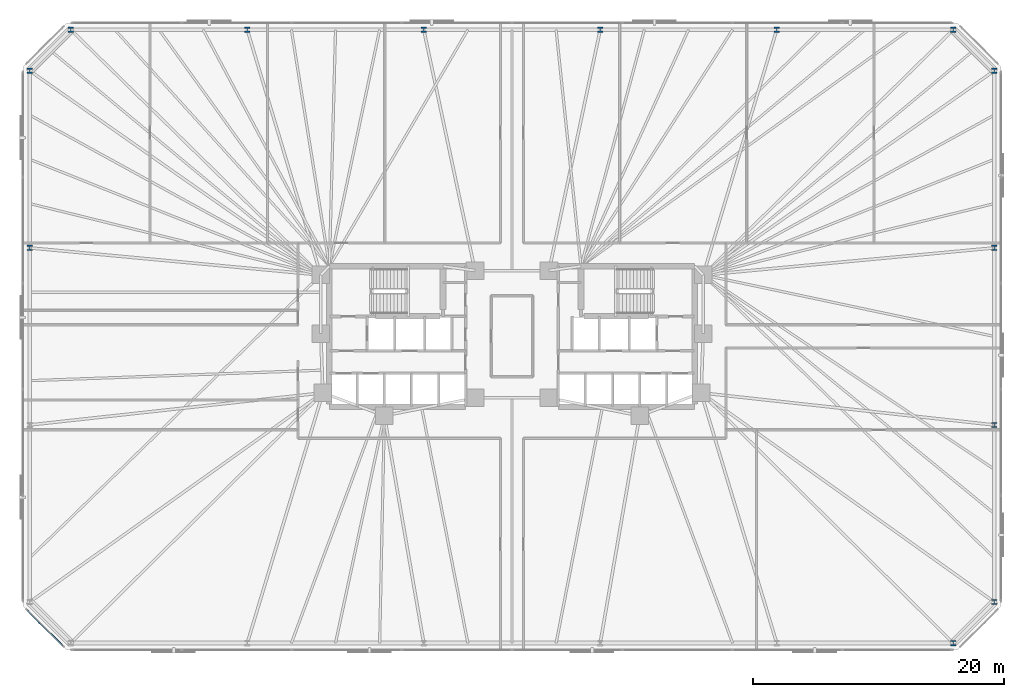
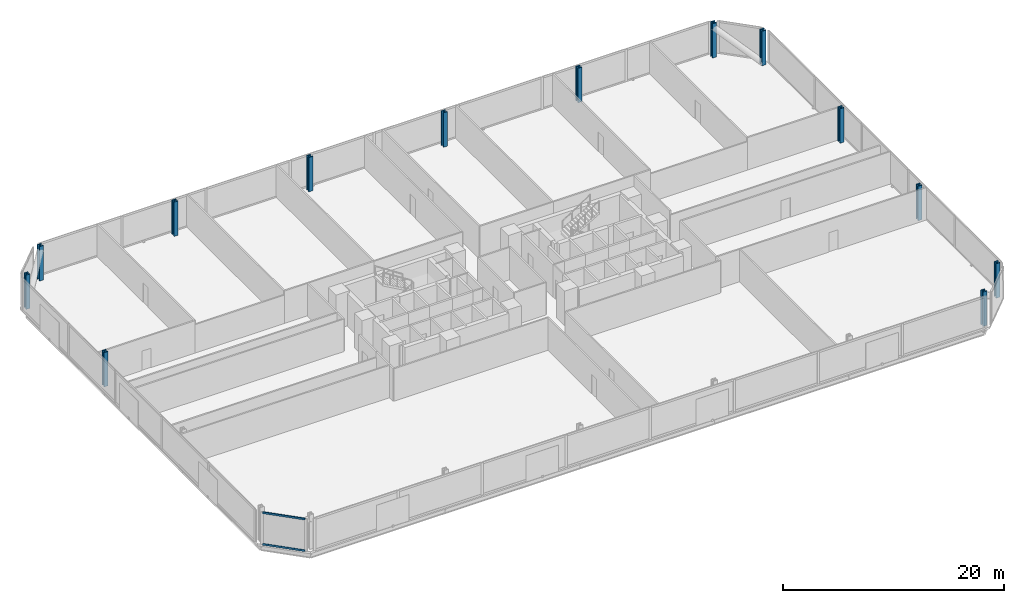
# One storey, part 5 of 16: 13 columns, 2 members, 1 element without a shape of its own.
"""IFC4 building model written with IfcOpenShell, lengths in metres."""

import ifcopenshell
import ifcopenshell.guid

model = None  # the IFC model being written
_history = None  # IfcOwnerHistory: only IFC2X3 demands one
_inside = {}  # id of a spatial element -> (the spatial element, [elements in it])
_under = {}  # id of a project, library or spatial element -> (it, [spatial elements below it])
_declared = {}  # id of a project -> (the project, [libraries it declares])
_typed = {}  # id of a type object -> (the type object, [elements of that type])
_made_of = {}  # id of a material, layer set ... -> (it, [elements and type objects made of it])


def new_model(schema):
    """Start an empty IFC model of exactly this schema.

    Asked for "IFC4X3", IfcOpenShell would pick the latest addendum, in which some entities
    have other attributes; the version numbers below select the first issue.
    IFC2X3 requires an IfcOwnerHistory on every rooted entity: one is made here for all.
    """
    global model, _history
    if schema == "IFC4X3":
        model = ifcopenshell.file(schema_version=(4, 3, 0, 0))
    else:
        model = ifcopenshell.file(schema=schema)
    _inside.clear()
    _under.clear()
    _declared.clear()
    _typed.clear()
    _made_of.clear()
    _history = None
    if model.schema == "IFC2X3":
        org = make("IfcOrganization", Name="unknown")
        user = make(
            "IfcPersonAndOrganization",
            ThePerson=make("IfcPerson", FamilyName="unknown"),
            TheOrganization=org,
        )
        app = make(
            "IfcApplication",
            ApplicationDeveloper=org,
            Version="unknown",
            ApplicationFullName="unknown",
            ApplicationIdentifier="unknown",
        )
        _history = make(
            "IfcOwnerHistory",
            OwningUser=user,
            OwningApplication=app,
            ChangeAction="ADDED",
            CreationDate=0,
        )
    return model


def make(cls, **values):
    """One entity of the class cls with the attributes given. An attribute that is None is left unset."""
    return model.create_entity(
        cls, **{name: value for name, value in values.items() if value is not None}
    )


def rooted(cls, **values):
    """An entity with a GlobalId (a new one), such as an element, a storey or a relation."""
    return make(cls, GlobalId=ifcopenshell.guid.new(), OwnerHistory=_history, **values)


def si_unit(unit_type, name, prefix=None):
    """IfcSIUnit, for example si_unit("LENGTHUNIT", "METRE", prefix="MILLI")."""
    return make("IfcSIUnit", UnitType=unit_type, Prefix=prefix, Name=name)


def assignment(units):
    """IfcUnitAssignment: the units of a project."""
    return None if units is None else make("IfcUnitAssignment", Units=units)


def point(xyz):
    """IfcCartesianPoint."""
    return None if xyz is None else make("IfcCartesianPoint", Coordinates=xyz)


def direction(xyz):
    """IfcDirection."""
    return None if xyz is None else make("IfcDirection", DirectionRatios=xyz)


def frame(location, z_axis=None, x_axis=None):
    """IfcAxis2Placement3D, a coordinate frame: its origin and axes. An axis left out is left unset."""
    return make(
        "IfcAxis2Placement3D",
        Location=point(location),
        Axis=direction(z_axis),
        RefDirection=direction(x_axis),
    )


def frame_2d(location, x_axis=None):
    """IfcAxis2Placement2D, a coordinate frame in the plane: its origin and x axis."""
    return make(
        "IfcAxis2Placement2D", Location=point(location), RefDirection=direction(x_axis)
    )


def origin():
    """The frame at (0, 0, 0) with its axes left unset."""
    return frame((0.0, 0.0, 0.0))


def origin_2d():
    """The frame at (0, 0) in the plane with its x axis left unset."""
    return frame_2d((0.0, 0.0))


def place(relative_to, where):
    """IfcLocalPlacement: puts the frame where relative to a parent placement (None: the world)."""
    return make(
        "IfcLocalPlacement", PlacementRelTo=relative_to, RelativePlacement=where
    )


def context(
    kind, dimensions, precision=None, world=None, true_north=None, identifier=None
):
    """IfcGeometricRepresentationContext, for example the 3D "Model" context."""
    return make(
        "IfcGeometricRepresentationContext",
        ContextIdentifier=identifier,
        ContextType=kind,
        CoordinateSpaceDimension=dimensions,
        Precision=precision,
        WorldCoordinateSystem=world,
        TrueNorth=true_north,
    )


def subcontext(parent, identifier, kind, view, scale=None):
    """IfcGeometricRepresentationSubContext, for example "Body" below "Model"."""
    return make(
        "IfcGeometricRepresentationSubContext",
        ContextIdentifier=identifier,
        ContextType=kind,
        ParentContext=parent,
        TargetScale=scale,
        TargetView=view,
    )


def project(units=None, contexts=None):
    """IfcProject with its units and contexts."""
    return rooted(
        "IfcProject",
        Name="project",
        RepresentationContexts=contexts,
        UnitsInContext=assignment(units),
    )


def spatial(cls, under=None, at=None, **own):
    """A site, building, storey or space (cls), placed at a placement, below another one or the project."""
    s = rooted(cls, ObjectPlacement=at, **own)
    if under is not None:
        _under.setdefault(under.id(), (under, []))[1].append(s)
    return s


def profile(cls, at=None, kind="AREA", **sizes):
    """A parametric profile (cls). Its sizes go by their IFC names, for example OverallWidth=200.0."""
    return make(cls, ProfileType=kind, Position=at, **sizes)


def rectangle(**sizes):
    """IfcRectangleProfileDef."""
    return profile("IfcRectangleProfileDef", **sizes)


def i_section(**sizes):
    """IfcIShapeProfileDef."""
    return profile("IfcIShapeProfileDef", **sizes)


def extrude(swept, where, along, depth):
    """IfcExtrudedAreaSolid: the profile swept, set in the frame where, extruded along a direction by depth."""
    return make(
        "IfcExtrudedAreaSolid",
        SweptArea=swept,
        Position=where,
        ExtrudedDirection=direction(along),
        Depth=depth,
    )


def shape(context_of_items, identifier, shape_type, items):
    """IfcShapeRepresentation: the items that make up one representation, for example the "Body"."""
    return make(
        "IfcShapeRepresentation",
        ContextOfItems=context_of_items,
        RepresentationIdentifier=identifier,
        RepresentationType=shape_type,
        Items=items,
    )


def material(Name=None, Category=None):
    """IfcMaterial."""
    return make("IfcMaterial", Name=Name, Category=Category)


def material_profile(
    of_material, cross_section, Name=None, Category=None, Priority=None
):
    """IfcMaterialProfile: a cross section and its material."""
    return make(
        "IfcMaterialProfile",
        Name=Name,
        Material=of_material,
        Profile=cross_section,
        Priority=Priority,
        Category=Category,
    )


def profile_set(profiles, Name=None, composite=None):
    """IfcMaterialProfileSet."""
    return make(
        "IfcMaterialProfileSet",
        Name=Name,
        MaterialProfiles=profiles,
        CompositeProfile=composite,
    )


def made_of(thing, what):
    """Note that an element or type object is made of a material, layer set ...; save() writes the relation."""
    if what is not None:
        _made_of.setdefault(what.id(), (what, []))[1].append(thing)
    return thing


def type_object(cls, material=None, **own):
    """A type object (cls), such as IfcWallType, which elements share."""
    return made_of(rooted(cls, **own), material)


def element(
    cls,
    number,
    at=None,
    inside=None,
    cuts=None,
    type_object=None,
    material=None,
    context=None,
    identifier="Body",
    shape_type=None,
    held_by="IfcProductDefinitionShape",
    body=None,
    shapes=None,
    **own,
):
    """One element of the class cls, such as IfcWall. Its Tag is "e" and its number.

    at: its placement. inside: the storey or other place that contains it. cuts: it is an
    opening in that element (IfcRelVoidsElement). A single representation is given by context,
    identifier, shape_type and body (its items); several are given by shapes. held_by: the class
    of the entity that holds the representations. save() writes the other relations.
    """
    e = rooted(cls, Tag="e%d" % number, ObjectPlacement=at, **own)
    if body is not None:
        shapes = [shape(context, identifier, shape_type, body)]
    if shapes is not None:
        e.Representation = make(held_by, Representations=shapes)
    if inside is not None:
        _inside.setdefault(inside.id(), (inside, []))[1].append(e)
    if cuts is not None:
        rooted(
            "IfcRelVoidsElement", RelatingBuildingElement=cuts, RelatedOpeningElement=e
        )
    if type_object is not None:
        _typed.setdefault(type_object.id(), (type_object, []))[1].append(e)
    return made_of(e, material)


def aggregate(whole, parts):
    """IfcRelAggregates: a whole, such as a stair, and the parts it consists of."""
    return rooted("IfcRelAggregates", RelatingObject=whole, RelatedObjects=parts)


def save(model, path):
    """Write the relations noted so far, then the file.

    IfcRelAggregates (storeys below a building ...), IfcRelContainedInSpatialStructure (elements
    in a storey), IfcRelDefinesByType, IfcRelAssociatesMaterial and IfcRelDeclares: one each for
    every whole, place, type object, material and project.
    """
    for whole, parts in _under.values():
        aggregate(whole, parts)
    for where, things in _inside.values():
        rooted(
            "IfcRelContainedInSpatialStructure",
            RelatedElements=things,
            RelatingStructure=where,
        )
    for kind, things in _typed.values():
        rooted("IfcRelDefinesByType", RelatedObjects=things, RelatingType=kind)
    for what, things in _made_of.values():
        rooted("IfcRelAssociatesMaterial", RelatedObjects=things, RelatingMaterial=what)
    for by, libraries in _declared.values():
        rooted("IfcRelDeclares", RelatingContext=by, RelatedDefinitions=libraries)
    model.write(path)


model = new_model("IFC4")

# Units and contexts
model_context = context("Model", 3, precision=1e-05, world=origin(), true_north=direction((0.0, 1.0)))
body_context = subcontext(model_context, "Body", "Model", "MODEL_VIEW")
ifc_project = project(units=[si_unit("LENGTHUNIT", "METRE"), si_unit("AREAUNIT", "SQUARE_METRE"), si_unit("VOLUMEUNIT", "CUBIC_METRE"), si_unit("PLANEANGLEUNIT", "RADIAN"), si_unit("MASSUNIT", "GRAM", prefix="KILO")], contexts=[model_context])

# Site, building, storey
site_placement = place(None, origin())
site = spatial("IfcSite", under=ifc_project, at=site_placement, CompositionType="ELEMENT")
building_placement = place(site_placement, origin())
building = spatial("IfcBuilding", under=site, at=building_placement, Name="Menara Jurai Vektor", CompositionType="ELEMENT")
storey_placement = place(building_placement, frame((0.0, 0.0, 59.800048828125)))
storey = spatial("IfcBuildingStorey", under=building, at=storey_placement, Name="L14", CompositionType="ELEMENT", Elevation=59.800048828125)

# Columns
ifc_material_1 = material(Name="Steel S460", Category="steel")
ifc_material_profile_1 = material_profile(ifc_material_1, i_section(OverallWidth=0.419921875, OverallDepth=0.430908203125, WebThickness=0.06494140625, FlangeThickness=0.10595703125, FilletRadius=0.014892578125, at=origin_2d()), Name="HD 400x900")
ifc_profile_set_1 = profile_set([ifc_material_profile_1], Name="Steel S460")
column_type = type_object("IfcColumnType", Name="STR-EXO-BLK1", PredefinedType="COLUMN", material=ifc_profile_set_1)
for number, where, z_axis, x_axis, name in (
    (1, (35.177734375, -24.449951171875, 0.0), (0.0, 0.0, 1.0), (1.0, 0.0, 0.0), "Exoskeleton Column BLK1-S6 L14"),
    (2, (38.449951171875, -21.177734375, 0.0), (0.0, 0.0, 1.0), (1.0, 0.0, 0.0), "Exoskeleton Column BLK1-E1 L14"),
    (3, (38.449951171875, -7.059326171875, 0.0), (0.0, 0.0, 1.0), (1.0, 0.0, 0.0), "Exoskeleton Column BLK1-E2 L14"),
    (4, (38.449951171875, 7.059326171875, 0.0), (0.0, 0.0, 1.0), (1.0, 0.0, 0.0), "Exoskeleton Column BLK1-E3 L14"),
    (5, (38.449951171875, 21.177734375, 0.0), (0.0, 0.0, 1.0), (1.0, 0.0, 0.0), "Exoskeleton Column BLK1-E4 L14"),
    (6, (35.177734375, 24.449951171875, 0.0), (0.0, 0.0, 1.0), (1.0, 0.0, 0.0), "Exoskeleton Column BLK1-N1 L14"),
    (7, (21.106689453125, 24.449951171875, 0.0), (0.0, 0.0, 1.0), (1.0, 0.0, 0.0), "Exoskeleton Column BLK1-N2 L14"),
    (8, (7.03564453125, 24.449951171875, 0.0), (0.0, 0.0, 1.0), (1.0, 0.0, 0.0), "Exoskeleton Column BLK1-N3 L14"),
    (9, (-7.03564453125, 24.449951171875, 0.0), (0.0, 0.0, 1.0), (1.0, 0.0, 0.0), "Exoskeleton Column BLK1-N4 L14"),
    (10, (-21.106689453125, 24.449951171875, 0.0), (0.0, 0.0, 1.0), (1.0, 0.0, 0.0), "Exoskeleton Column BLK1-N5 L14"),
    (11, (-35.177734375, 24.449951171875, 0.0), (0.0, 0.0, 1.0), (1.0, 0.0, 0.0), "Exoskeleton Column BLK1-N6 L14"),
    (12, (-38.449951171875, 21.177734375, 0.0), (0.0, 0.0, 1.0), (1.0, 0.0, 0.0), "Exoskeleton Column BLK1-W1 L14"),
    (13, (-38.449951171875, 7.059326171875, 0.0), (0.0, 0.0, 1.0), (1.0, 0.0, 0.0), "Exoskeleton Column BLK1-W2 L14"),
):
    element("IfcColumn", number, at=place(storey_placement, frame(where, z_axis=z_axis, x_axis=x_axis)), inside=storey, type_object=column_type, Name=name, PredefinedType="COLUMN", context=body_context, shape_type="SweptSolid", body=[
        extrude(i_section(OverallWidth=0.419921875, OverallDepth=0.430908203125, WebThickness=0.06494140625, FlangeThickness=0.10595703125, FilletRadius=0.014892578125, at=origin_2d()), origin(), (0.0, 0.0, 1.0), 3.800048828125),
    ])

# Curtain wall, members
ifc_material_2 = material(Name="Anodised Pale Aluminium & Low-E Double Glazing", Category="aluminium")
curtain_wall_type = type_object("IfcCurtainWallType", Name="CW-BLK1", PredefinedType="NOTDEFINED", material=ifc_material_2)
curtain_wall_placement = place(storey_placement, origin())
curtain_wall = element("IfcCurtainWall", 14, at=curtain_wall_placement, inside=storey, type_object=curtain_wall_type, Name="Unitised Curtain Wall L14 F08", PredefinedType="NOTDEFINED")
ifc_material_3 = material(Name="Anodised Pale Aluminium Transom", Category="aluminium")
ifc_material_profile_2 = material_profile(ifc_material_3, rectangle(XDim=0.094970703125, YDim=0.199951171875, at=origin_2d()), Name="ALU TRN 95x200")
ifc_profile_set_2 = profile_set([ifc_material_profile_2], Name="Anodised Pale Aluminium Transom")
member_type = type_object("IfcMemberType", Name="CW-BLK1-TRN", PredefinedType="USERDEFINED", material=ifc_profile_set_2)
member_1_placement = place(storey_placement, frame((-38.6640625, -21.8359375, 0.04736328125), z_axis=(0.707106781187, -0.707106781187, 0.0), x_axis=(0.707106781187, 0.707106781187, 0.0)))
member_1 = element("IfcMember", 15, at=member_1_placement, type_object=member_type, Name="CW-01 transom 1.1", ObjectType="TRANSOM", PredefinedType="USERDEFINED", context=body_context, shape_type="SweptSolid", body=[
    extrude(rectangle(XDim=0.094970703125, YDim=0.199951171875, at=origin_2d()), origin(), (0.0, 0.0, 1.0), 3.99951171875),
])
member_2_placement = place(storey_placement, frame((-38.6640625, -21.8359375, 3.52734375), z_axis=(0.707106781187, -0.707106781187, 0.0), x_axis=(0.707106781187, 0.707106781187, 0.0)))
member_2 = element("IfcMember", 16, at=member_2_placement, type_object=member_type, Name="CW-01 transom 1.2", ObjectType="TRANSOM", PredefinedType="USERDEFINED", context=body_context, shape_type="SweptSolid", body=[
    extrude(rectangle(XDim=0.094970703125, YDim=0.199951171875, at=origin_2d()), origin(), (0.0, 0.0, 1.0), 3.99951171875),
])
aggregate(curtain_wall, [member_1, member_2])

save(model, "model.ifc")
